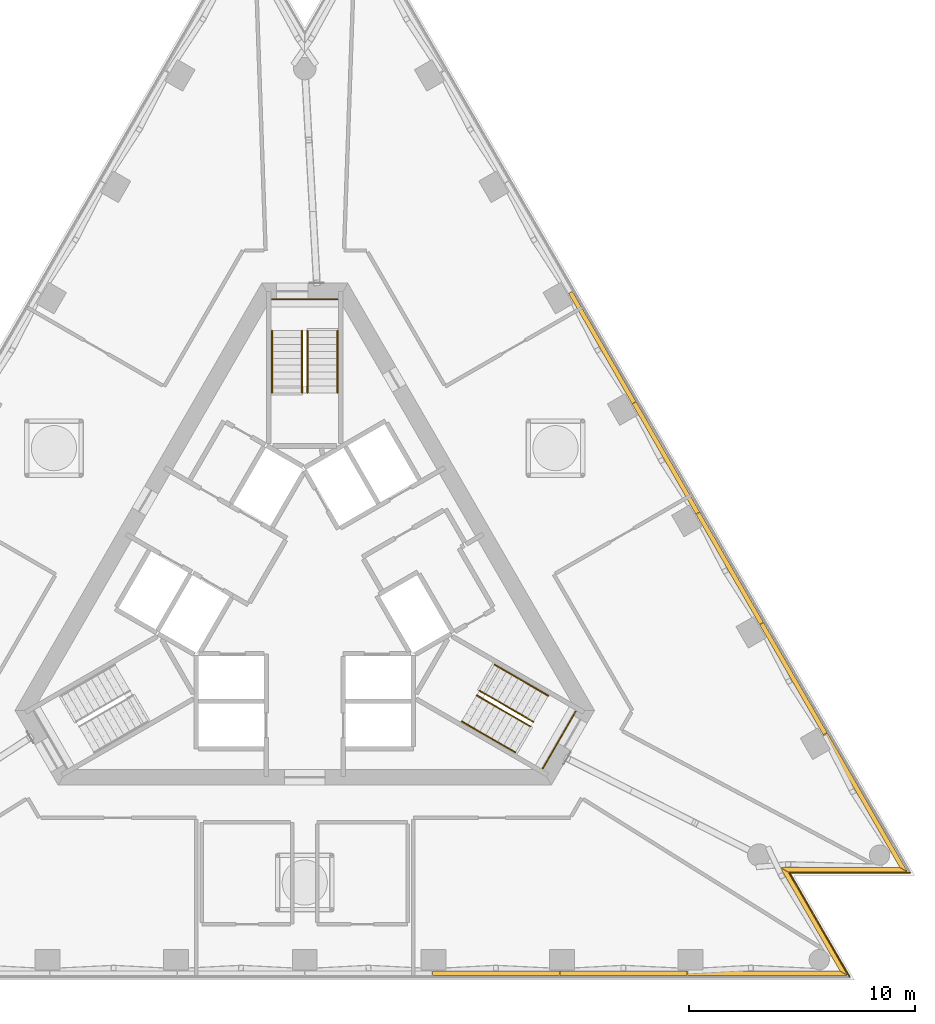
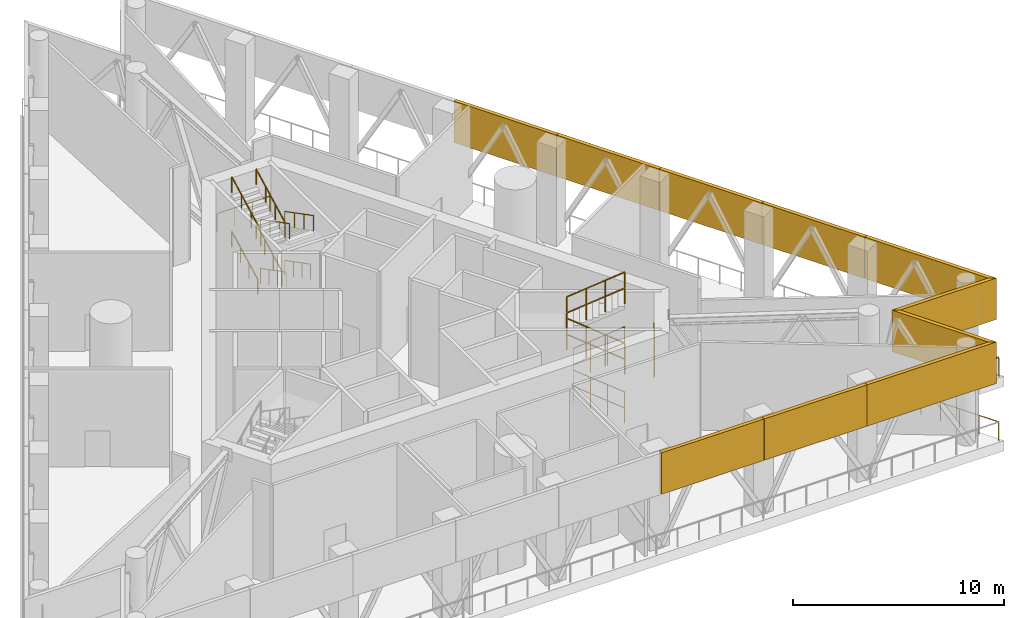
# One storey, part 13 of 15: 20 railings, 10 shading devices, 2 elements without a shape of their own.
"""IFC4 building model written with IfcOpenShell, lengths in metres."""

from ifc_helpers import new_model, si_unit, direction, frame, origin, origin_2d, place, context, subcontext, project, spatial, polyline, circle, outline, extrude, material, layer, layer_set, type_object, element, aggregate, save


model = new_model("IFC4")

# Units and contexts
model_context = context("Model", 3, precision=1e-05, world=origin(), true_north=direction((0.0, 1.0)))
body_context = subcontext(model_context, "Body", "Model", "MODEL_VIEW")
ifc_project = project(units=[si_unit("LENGTHUNIT", "METRE"), si_unit("AREAUNIT", "SQUARE_METRE"), si_unit("VOLUMEUNIT", "CUBIC_METRE"), si_unit("PLANEANGLEUNIT", "RADIAN"), si_unit("MASSUNIT", "GRAM", prefix="KILO")], contexts=[model_context])

# Site, building, storey
site_placement = place(None, origin())
site = spatial("IfcSite", under=ifc_project, at=site_placement, CompositionType="ELEMENT")
building_placement = place(site_placement, origin())
building = spatial("IfcBuilding", under=site, at=building_placement, Name="Triada Interchange Tower", CompositionType="ELEMENT")
storey_placement = place(building_placement, frame((0.0, 0.0, 255.800048828125)))
storey = spatial("IfcBuildingStorey", under=building, at=storey_placement, Name="L60", CompositionType="ELEMENT", Elevation=255.800048828125)

# Stair, railing
ifc_material_1 = material(Name="Concrete C35/45", Category="concrete")
stair_type = type_object("IfcStairType", Name="HALF TURN STAIR 1400", PredefinedType="HALF_TURN_STAIR", material=ifc_material_1)
stair_1_placement = place(storey_placement, origin())
stair_1 = element("IfcStair", 1, at=stair_1_placement, inside=storey, type_object=stair_type, Name="Exit stair S60-1", PredefinedType="HALF_TURN_STAIR")
ifc_material_2 = material(Name="Stainless steel 1.4301", Category="steel")
railing_type_1 = type_object("IfcRailingType", Name="STAIR GUARD 1100", PredefinedType="GUARDRAIL", material=ifc_material_2)
railing_1_placement = place(storey_placement, frame((1.449951171875, 13.0, 2.842041015625)))
railing_1 = element("IfcRailing", 2, at=railing_1_placement, type_object=railing_type_1, Name="Guard S60-1 1", PredefinedType="GUARDRAIL", context=body_context, shape_type="SweptSolid", body=[
    extrude(circle(Radius=0.02392578125, at=origin_2d()), frame((0.0, 0.0, 1.076171875), z_axis=(-1.0, 0.0, 0.0), x_axis=(0.0, -1.0, 0.0)), (0.0, 0.0, 1.0), 2.89990234375),
    extrude(circle(Radius=0.02099609375, at=origin_2d()), origin(), (0.0, 0.0, 1.0), 1.052001953125),
    extrude(circle(Radius=0.02099609375, at=origin_2d()), frame((-0.966552734375, 0.0, 0.0)), (0.0, 0.0, 1.0), 1.052001953125),
    extrude(circle(Radius=0.02099609375, at=origin_2d()), frame((-1.933349609375, 0.0, 0.0)), (0.0, 0.0, 1.0), 1.052001953125),
    extrude(circle(Radius=0.02099609375, at=origin_2d()), frame((-2.89990234375, 0.0, 0.0)), (0.0, 0.0, 1.0), 1.052001953125),
])

stair_2_placement = place(storey_placement, origin())
stair_2 = element("IfcStair", 3, at=stair_2_placement, inside=storey, type_object=stair_type, Name="Exit stair S60-3", PredefinedType="HALF_TURN_STAIR")
railing_2_placement = place(storey_placement, frame((10.532958984375, -7.756103515625, 2.842041015625)))
railing_2 = element("IfcRailing", 4, at=railing_2_placement, type_object=railing_type_1, Name="Guard S60-3 1", PredefinedType="GUARDRAIL", context=body_context, shape_type="SweptSolid", body=[
    extrude(circle(Radius=0.02392578125, at=origin_2d()), frame((0.0, 0.0, 1.076171875), z_axis=(0.499877891294, 0.866095891802, 0.0), x_axis=(-0.866095891802, 0.499877891294, 0.0)), (0.0, 0.0, 1.0), 2.900634765625),
    extrude(circle(Radius=0.02099609375, at=origin_2d()), origin(), (0.0, 0.0, 1.0), 1.052001953125),
    extrude(circle(Radius=0.02099609375, at=origin_2d()), frame((0.4833984375, 0.83740234375, 0.0)), (0.0, 0.0, 1.0), 1.052001953125),
    extrude(circle(Radius=0.02099609375, at=origin_2d()), frame((0.966552734375, 1.6748046875, 0.0)), (0.0, 0.0, 1.0), 1.052001953125),
    extrude(circle(Radius=0.02099609375, at=origin_2d()), frame((1.449951171875, 2.51220703125, 0.0)), (0.0, 0.0, 1.0), 1.052001953125),
])

# Railing
railing_type_2 = type_object("IfcRailingType", Name="STAIR HANDRAIL 900", PredefinedType="HANDRAIL", material=ifc_material_2)
railing_3_placement = place(storey_placement, frame((1.449951171875, 11.60009765625, 0.157958984375)))
railing_3 = element("IfcRailing", 5, at=railing_3_placement, type_object=railing_type_2, Name="Handrail S60-1 1W", PredefinedType="HANDRAIL", context=body_context, shape_type="SweptSolid", body=[
    extrude(circle(Radius=0.02392578125, at=origin_2d()), frame((0.0, 0.0, 0.8759765625), z_axis=(0.0, -0.888102587674, 0.459645291249), x_axis=(1.0, 0.0, 0.0)), (0.0, 0.0, 1.0), 2.74755859375),
    extrude(circle(Radius=0.02099609375, at=origin_2d()), origin(), (0.0, 0.0, 1.0), 0.851806640625),
    extrude(circle(Radius=0.02099609375, at=origin_2d()), frame((0.0, -0.8134765625, 0.4208984375)), (0.0, 0.0, 1.0), 0.851806640625),
    extrude(circle(Radius=0.02099609375, at=origin_2d()), frame((0.0, -1.626708984375, 0.842041015625)), (0.0, 0.0, 1.0), 0.851806640625),
    extrude(circle(Radius=0.02099609375, at=origin_2d()), frame((0.0, -2.440185546875, 1.262939453125)), (0.0, 0.0, 1.0), 0.851806640625),
])

railing_4_placement = place(storey_placement, frame((0.1201171875, 11.60009765625, 0.157958984375)))
railing_4 = element("IfcRailing", 6, at=railing_4_placement, type_object=railing_type_2, Name="Handrail S60-1 1C", PredefinedType="HANDRAIL", context=body_context, shape_type="SweptSolid", body=[
    extrude(circle(Radius=0.02392578125, at=origin_2d()), frame((0.0, 0.0, 0.8759765625), z_axis=(0.0, -0.888102587674, 0.459645291249), x_axis=(1.0, 0.0, 0.0)), (0.0, 0.0, 1.0), 2.74755859375),
    extrude(circle(Radius=0.02099609375, at=origin_2d()), origin(), (0.0, 0.0, 1.0), 0.851806640625),
    extrude(circle(Radius=0.02099609375, at=origin_2d()), frame((0.0, -0.8134765625, 0.4208984375)), (0.0, 0.0, 1.0), 0.851806640625),
    extrude(circle(Radius=0.02099609375, at=origin_2d()), frame((0.0, -1.626708984375, 0.842041015625)), (0.0, 0.0, 1.0), 0.851806640625),
    extrude(circle(Radius=0.02099609375, at=origin_2d()), frame((0.0, -2.440185546875, 1.262939453125)), (0.0, 0.0, 1.0), 0.851806640625),
])

railing_5_placement = place(storey_placement, frame((-1.449951171875, 9.159912109375, 1.578857421875)))
railing_5 = element("IfcRailing", 7, at=railing_5_placement, type_object=railing_type_2, Name="Handrail S60-1 2W", PredefinedType="HANDRAIL", context=body_context, shape_type="SweptSolid", body=[
    extrude(circle(Radius=0.02392578125, at=origin_2d()), frame((0.0, 0.0, 0.8759765625), z_axis=(0.0, 0.888066314826, 0.459715368975), x_axis=(-1.0, 0.0, 0.0)), (0.0, 0.0, 1.0), 2.747802734375),
    extrude(circle(Radius=0.02099609375, at=origin_2d()), origin(), (0.0, 0.0, 1.0), 0.851806640625),
    extrude(circle(Radius=0.02099609375, at=origin_2d()), frame((0.0, 0.8134765625, 0.421142578125)), (0.0, 0.0, 1.0), 0.851806640625),
    extrude(circle(Radius=0.02099609375, at=origin_2d()), frame((0.0, 1.626708984375, 0.842041015625)), (0.0, 0.0, 1.0), 0.851806640625),
    extrude(circle(Radius=0.02099609375, at=origin_2d()), frame((0.0, 2.440185546875, 1.26318359375)), (0.0, 0.0, 1.0), 0.851806640625),
])

railing_6_placement = place(storey_placement, frame((-0.1201171875, 9.159912109375, 1.578857421875)))
railing_6 = element("IfcRailing", 8, at=railing_6_placement, type_object=railing_type_2, Name="Handrail S60-1 2C", PredefinedType="HANDRAIL", context=body_context, shape_type="SweptSolid", body=[
    extrude(circle(Radius=0.02392578125, at=origin_2d()), frame((0.0, 0.0, 0.8759765625), z_axis=(0.0, 0.888066314826, 0.459715368975), x_axis=(-1.0, 0.0, 0.0)), (0.0, 0.0, 1.0), 2.747802734375),
    extrude(circle(Radius=0.02099609375, at=origin_2d()), origin(), (0.0, 0.0, 1.0), 0.851806640625),
    extrude(circle(Radius=0.02099609375, at=origin_2d()), frame((0.0, 0.8134765625, 0.421142578125)), (0.0, 0.0, 1.0), 0.851806640625),
    extrude(circle(Radius=0.02099609375, at=origin_2d()), frame((0.0, 1.626708984375, 0.842041015625)), (0.0, 0.0, 1.0), 0.851806640625),
    extrude(circle(Radius=0.02099609375, at=origin_2d()), frame((0.0, 2.440185546875, 1.26318359375)), (0.0, 0.0, 1.0), 0.851806640625),
])

railing_7_placement = place(storey_placement, frame((1.449951171875, 11.60009765625, 2.999755859375)))
railing_7 = element("IfcRailing", 9, at=railing_7_placement, type_object=railing_type_2, Name="Handrail S60-1 3W", PredefinedType="HANDRAIL", context=body_context, shape_type="SweptSolid", body=[
    extrude(circle(Radius=0.02392578125, at=origin_2d()), frame((0.0, 0.0, 0.8759765625), z_axis=(0.0, -0.888051994022, 0.45974303248), x_axis=(1.0, 0.0, 0.0)), (0.0, 0.0, 1.0), 3.091064453125),
    extrude(circle(Radius=0.02099609375, at=origin_2d()), origin(), (0.0, 0.0, 1.0), 0.851806640625),
    extrude(circle(Radius=0.02099609375, at=origin_2d()), frame((0.0, -0.9150390625, 0.4736328125)), (0.0, 0.0, 1.0), 0.851806640625),
    extrude(circle(Radius=0.02099609375, at=origin_2d()), frame((0.0, -1.830078125, 0.947509765625)), (0.0, 0.0, 1.0), 0.851806640625),
    extrude(circle(Radius=0.02099609375, at=origin_2d()), frame((0.0, -2.7451171875, 1.421142578125)), (0.0, 0.0, 1.0), 0.851806640625),
])

railing_8_placement = place(storey_placement, frame((0.1201171875, 11.60009765625, 2.999755859375)))
railing_8 = element("IfcRailing", 10, at=railing_8_placement, type_object=railing_type_2, Name="Handrail S60-1 3C", PredefinedType="HANDRAIL", context=body_context, shape_type="SweptSolid", body=[
    extrude(circle(Radius=0.02392578125, at=origin_2d()), frame((0.0, 0.0, 0.8759765625), z_axis=(0.0, -0.888051994022, 0.45974303248), x_axis=(1.0, 0.0, 0.0)), (0.0, 0.0, 1.0), 3.091064453125),
    extrude(circle(Radius=0.02099609375, at=origin_2d()), origin(), (0.0, 0.0, 1.0), 0.851806640625),
    extrude(circle(Radius=0.02099609375, at=origin_2d()), frame((0.0, -0.9150390625, 0.4736328125)), (0.0, 0.0, 1.0), 0.851806640625),
    extrude(circle(Radius=0.02099609375, at=origin_2d()), frame((0.0, -1.830078125, 0.947509765625)), (0.0, 0.0, 1.0), 0.851806640625),
    extrude(circle(Radius=0.02099609375, at=origin_2d()), frame((0.0, -2.7451171875, 1.421142578125)), (0.0, 0.0, 1.0), 0.851806640625),
])

railing_9_placement = place(storey_placement, frame((-1.449951171875, 8.85498046875, 4.578857421875)))
railing_9 = element("IfcRailing", 11, at=railing_9_placement, type_object=railing_type_2, Name="Handrail S60-1 4W", PredefinedType="HANDRAIL", context=body_context, shape_type="SweptSolid", body=[
    extrude(circle(Radius=0.02392578125, at=origin_2d()), frame((0.0, 0.0, 0.8759765625), z_axis=(0.0, 0.888084238656, 0.459680742527), x_axis=(-1.0, 0.0, 0.0)), (0.0, 0.0, 1.0), 3.091064453125),
    extrude(circle(Radius=0.02099609375, at=origin_2d()), origin(), (0.0, 0.0, 1.0), 0.851806640625),
    extrude(circle(Radius=0.02099609375, at=origin_2d()), frame((0.0, 0.9150390625, 0.4736328125)), (0.0, 0.0, 1.0), 0.851806640625),
    extrude(circle(Radius=0.02099609375, at=origin_2d()), frame((0.0, 1.830078125, 0.947265625)), (0.0, 0.0, 1.0), 0.851806640625),
    extrude(circle(Radius=0.02099609375, at=origin_2d()), frame((0.0, 2.7451171875, 1.4208984375)), (0.0, 0.0, 1.0), 0.851806640625),
])

railing_10_placement = place(storey_placement, frame((-0.1201171875, 8.85498046875, 4.578857421875)))
railing_10 = element("IfcRailing", 12, at=railing_10_placement, type_object=railing_type_2, Name="Handrail S60-1 4C", PredefinedType="HANDRAIL", context=body_context, shape_type="SweptSolid", body=[
    extrude(circle(Radius=0.02392578125, at=origin_2d()), frame((0.0, 0.0, 0.8759765625), z_axis=(0.0, 0.888084238656, 0.459680742527), x_axis=(-1.0, 0.0, 0.0)), (0.0, 0.0, 1.0), 3.091064453125),
    extrude(circle(Radius=0.02099609375, at=origin_2d()), origin(), (0.0, 0.0, 1.0), 0.851806640625),
    extrude(circle(Radius=0.02099609375, at=origin_2d()), frame((0.0, 0.9150390625, 0.4736328125)), (0.0, 0.0, 1.0), 0.851806640625),
    extrude(circle(Radius=0.02099609375, at=origin_2d()), frame((0.0, 1.830078125, 0.947265625)), (0.0, 0.0, 1.0), 0.851806640625),
    extrude(circle(Radius=0.02099609375, at=origin_2d()), frame((0.0, 2.7451171875, 1.4208984375)), (0.0, 0.0, 1.0), 0.851806640625),
])

aggregate(stair_1, [railing_3, railing_4, railing_5, railing_6, railing_7, railing_8, railing_9, railing_10, railing_1])

railing_11_placement = place(storey_placement, frame((9.321044921875, -7.055908203125, 0.157958984375)))
railing_11 = element("IfcRailing", 13, at=railing_11_placement, type_object=railing_type_2, Name="Handrail S60-3 1W", PredefinedType="HANDRAIL", context=body_context, shape_type="SweptSolid", body=[
    extrude(circle(Radius=0.02392578125, at=origin_2d()), frame((0.0, 0.0, 0.8759765625), z_axis=(-0.769101041409, 0.444043663076, 0.459683383848), x_axis=(-0.500002508028, -0.866023955769, 0.0)), (0.0, 0.0, 1.0), 2.747314453125),
    extrude(circle(Radius=0.02099609375, at=origin_2d()), origin(), (0.0, 0.0, 1.0), 0.851806640625),
    extrude(circle(Radius=0.02099609375, at=origin_2d()), frame((-0.704345703125, 0.40673828125, 0.4208984375)), (0.0, 0.0, 1.0), 0.851806640625),
    extrude(circle(Radius=0.02099609375, at=origin_2d()), frame((-1.40869140625, 0.813232421875, 0.842041015625)), (0.0, 0.0, 1.0), 0.851806640625),
    extrude(circle(Radius=0.02099609375, at=origin_2d()), frame((-2.113037109375, 1.219970703125, 1.262939453125)), (0.0, 0.0, 1.0), 0.851806640625),
])

railing_12_placement = place(storey_placement, frame((9.986083984375, -5.904052734375, 0.157958984375)))
railing_12 = element("IfcRailing", 14, at=railing_12_placement, type_object=railing_type_2, Name="Handrail S60-3 1C", PredefinedType="HANDRAIL", context=body_context, shape_type="SweptSolid", body=[
    extrude(circle(Radius=0.02392578125, at=origin_2d()), frame((0.0, 0.0, 0.8759765625), z_axis=(-0.769101041409, 0.444043663076, 0.459683383848), x_axis=(-0.500002508028, -0.866023955769, 0.0)), (0.0, 0.0, 1.0), 2.747314453125),
    extrude(circle(Radius=0.02099609375, at=origin_2d()), origin(), (0.0, 0.0, 1.0), 0.851806640625),
    extrude(circle(Radius=0.02099609375, at=origin_2d()), frame((-0.704345703125, 0.40673828125, 0.4208984375)), (0.0, 0.0, 1.0), 0.851806640625),
    extrude(circle(Radius=0.02099609375, at=origin_2d()), frame((-1.40869140625, 0.813232421875, 0.842041015625)), (0.0, 0.0, 1.0), 0.851806640625),
    extrude(circle(Radius=0.02099609375, at=origin_2d()), frame((-2.113037109375, 1.219970703125, 1.262939453125)), (0.0, 0.0, 1.0), 0.851806640625),
])

railing_13_placement = place(storey_placement, frame((8.657958984375, -3.323974609375, 1.578857421875)))
railing_13 = element("IfcRailing", 15, at=railing_13_placement, type_object=railing_type_2, Name="Handrail S60-3 2W", PredefinedType="HANDRAIL", context=body_context, shape_type="SweptSolid", body=[
    extrude(circle(Radius=0.02392578125, at=origin_2d()), frame((0.0, 0.0, 0.8759765625), z_axis=(0.769069623744, -0.444025523957, 0.45975346427), x_axis=(0.500002508028, 0.866023955769, 0.0)), (0.0, 0.0, 1.0), 2.74755859375),
    extrude(circle(Radius=0.02099609375, at=origin_2d()), origin(), (0.0, 0.0, 1.0), 0.851806640625),
    extrude(circle(Radius=0.02099609375, at=origin_2d()), frame((0.704345703125, -0.40673828125, 0.421142578125)), (0.0, 0.0, 1.0), 0.851806640625),
    extrude(circle(Radius=0.02099609375, at=origin_2d()), frame((1.40869140625, -0.813232421875, 0.842041015625)), (0.0, 0.0, 1.0), 0.851806640625),
    extrude(circle(Radius=0.02099609375, at=origin_2d()), frame((2.113037109375, -1.219970703125, 1.26318359375)), (0.0, 0.0, 1.0), 0.851806640625),
])

railing_14_placement = place(storey_placement, frame((7.992919921875, -4.47607421875, 1.578857421875)))
railing_14 = element("IfcRailing", 16, at=railing_14_placement, type_object=railing_type_2, Name="Handrail S60-3 2C", PredefinedType="HANDRAIL", context=body_context, shape_type="SweptSolid", body=[
    extrude(circle(Radius=0.02392578125, at=origin_2d()), frame((0.0, 0.0, 0.8759765625), z_axis=(0.769069623744, -0.444025523957, 0.45975346427), x_axis=(0.500002508028, 0.866023955769, 0.0)), (0.0, 0.0, 1.0), 2.74755859375),
    extrude(circle(Radius=0.02099609375, at=origin_2d()), origin(), (0.0, 0.0, 1.0), 0.851806640625),
    extrude(circle(Radius=0.02099609375, at=origin_2d()), frame((0.704345703125, -0.40673828125, 0.421142578125)), (0.0, 0.0, 1.0), 0.851806640625),
    extrude(circle(Radius=0.02099609375, at=origin_2d()), frame((1.40869140625, -0.813232421875, 0.842041015625)), (0.0, 0.0, 1.0), 0.851806640625),
    extrude(circle(Radius=0.02099609375, at=origin_2d()), frame((2.113037109375, -1.219970703125, 1.26318359375)), (0.0, 0.0, 1.0), 0.851806640625),
])

railing_15_placement = place(storey_placement, frame((9.321044921875, -7.055908203125, 2.999755859375)))
railing_15 = element("IfcRailing", 17, at=railing_15_placement, type_object=railing_type_2, Name="Handrail S60-3 3W", PredefinedType="HANDRAIL", context=body_context, shape_type="SweptSolid", body=[
    extrude(circle(Radius=0.02392578125, at=origin_2d()), frame((0.0, 0.0, 0.8759765625), z_axis=(-0.768997314024, 0.444132281918, 0.459771298781), x_axis=(-0.500127924686, -0.865951533834, 0.0)), (0.0, 0.0, 1.0), 3.091064453125),
    extrude(circle(Radius=0.02099609375, at=origin_2d()), origin(), (0.0, 0.0, 1.0), 0.851806640625),
    extrude(circle(Radius=0.02099609375, at=origin_2d()), frame((-0.792236328125, 0.45751953125, 0.4736328125)), (0.0, 0.0, 1.0), 0.851806640625),
    extrude(circle(Radius=0.02099609375, at=origin_2d()), frame((-1.584716796875, 0.915283203125, 0.947509765625)), (0.0, 0.0, 1.0), 0.851806640625),
    extrude(circle(Radius=0.02099609375, at=origin_2d()), frame((-2.376953125, 1.372802734375, 1.421142578125)), (0.0, 0.0, 1.0), 0.851806640625),
])

railing_16_placement = place(storey_placement, frame((9.986083984375, -5.904052734375, 2.999755859375)))
railing_16 = element("IfcRailing", 18, at=railing_16_placement, type_object=railing_type_2, Name="Handrail S60-3 3C", PredefinedType="HANDRAIL", context=body_context, shape_type="SweptSolid", body=[
    extrude(circle(Radius=0.02392578125, at=origin_2d()), frame((0.0, 0.0, 0.8759765625), z_axis=(-0.769110501201, 0.443915067963, 0.45979174566), x_axis=(-0.499889283929, -0.866089316302, 0.0)), (0.0, 0.0, 1.0), 3.0908203125),
    extrude(circle(Radius=0.02099609375, at=origin_2d()), origin(), (0.0, 0.0, 1.0), 0.851806640625),
    extrude(circle(Radius=0.02099609375, at=origin_2d()), frame((-0.79248046875, 0.457275390625, 0.4736328125)), (0.0, 0.0, 1.0), 0.851806640625),
    extrude(circle(Radius=0.02099609375, at=origin_2d()), frame((-1.584716796875, 0.914794921875, 0.947509765625)), (0.0, 0.0, 1.0), 0.851806640625),
    extrude(circle(Radius=0.02099609375, at=origin_2d()), frame((-2.377197265625, 1.3720703125, 1.421142578125)), (0.0, 0.0, 1.0), 0.851806640625),
])

railing_17_placement = place(storey_placement, frame((8.39404296875, -3.172119140625, 4.578857421875)))
railing_17 = element("IfcRailing", 19, at=railing_17_placement, type_object=railing_type_2, Name="Handrail S60-3 4W", PredefinedType="HANDRAIL", context=body_context, shape_type="SweptSolid", body=[
    extrude(circle(Radius=0.02392578125, at=origin_2d()), frame((0.0, 0.0, 0.8759765625), z_axis=(0.769025239288, -0.444148410077, 0.459709007052), x_axis=(0.500127924686, 0.865951533834, 0.0)), (0.0, 0.0, 1.0), 3.0908203125),
    extrude(circle(Radius=0.02099609375, at=origin_2d()), origin(), (0.0, 0.0, 1.0), 0.851806640625),
    extrude(circle(Radius=0.02099609375, at=origin_2d()), frame((0.792236328125, -0.45751953125, 0.4736328125)), (0.0, 0.0, 1.0), 0.851806640625),
    extrude(circle(Radius=0.02099609375, at=origin_2d()), frame((1.584716796875, -0.915283203125, 0.947265625)), (0.0, 0.0, 1.0), 0.851806640625),
    extrude(circle(Radius=0.02099609375, at=origin_2d()), frame((2.376953125, -1.372802734375, 1.4208984375)), (0.0, 0.0, 1.0), 0.851806640625),
])

railing_18_placement = place(storey_placement, frame((7.72900390625, -4.323974609375, 4.578857421875)))
railing_18 = element("IfcRailing", 20, at=railing_18_placement, type_object=railing_type_2, Name="Handrail S60-3 4C", PredefinedType="HANDRAIL", context=body_context, shape_type="SweptSolid", body=[
    extrude(circle(Radius=0.02392578125, at=origin_2d()), frame((0.0, 0.0, 0.8759765625), z_axis=(0.769106168007, -0.443958161894, 0.459757384737), x_axis=(0.499927796446, 0.866067086513, 0.0)), (0.0, 0.0, 1.0), 3.090576171875),
    extrude(circle(Radius=0.02099609375, at=origin_2d()), origin(), (0.0, 0.0, 1.0), 0.851806640625),
    extrude(circle(Radius=0.02099609375, at=origin_2d()), frame((0.792236328125, -0.457275390625, 0.4736328125)), (0.0, 0.0, 1.0), 0.851806640625),
    extrude(circle(Radius=0.02099609375, at=origin_2d()), frame((1.584716796875, -0.914794921875, 0.947265625)), (0.0, 0.0, 1.0), 0.851806640625),
    extrude(circle(Radius=0.02099609375, at=origin_2d()), frame((2.376953125, -1.3720703125, 1.4208984375)), (0.0, 0.0, 1.0), 0.851806640625),
])

aggregate(stair_2, [railing_11, railing_12, railing_13, railing_14, railing_15, railing_16, railing_17, railing_18, railing_2])

# Railings
railing_type_3 = type_object("IfcRailingType", Name="Slot edge guard 1100", PredefinedType="GUARDRAIL", material=ifc_material_2)
railing_19_placement = place(storey_placement, frame((24.094970703125, -16.97607421875, 0.0)))
element("IfcRailing", 21, at=railing_19_placement, inside=storey, type_object=railing_type_3, Name="Slot edge guard SE-1", PredefinedType="GUARDRAIL", context=body_context, shape_type="SweptSolid", body=[
    extrude(circle(Radius=0.02392578125, at=origin_2d()), frame((0.0, 0.0, 1.076171875), z_axis=(-0.499982560684, 0.866035472144, 0.0), x_axis=(-0.866035472144, -0.499982560684, 0.0)), (0.0, 0.0, 1.0), 5.308349609375),
    extrude(circle(Radius=0.02099609375, at=origin_2d()), origin(), (0.0, 0.0, 1.0), 1.052001953125),
    extrude(circle(Radius=0.02099609375, at=origin_2d()), frame((-0.53076171875, 0.91943359375, 0.0)), (0.0, 0.0, 1.0), 1.052001953125),
    extrude(circle(Radius=0.02099609375, at=origin_2d()), frame((-1.0615234375, 1.8388671875, 0.0)), (0.0, 0.0, 1.0), 1.052001953125),
    extrude(circle(Radius=0.02099609375, at=origin_2d()), frame((-1.592529296875, 2.75830078125, 0.0)), (0.0, 0.0, 1.0), 1.052001953125),
    extrude(circle(Radius=0.02099609375, at=origin_2d()), frame((-2.123291015625, 3.677734375, 0.0)), (0.0, 0.0, 1.0), 1.052001953125),
    extrude(circle(Radius=0.02099609375, at=origin_2d()), frame((-2.654052734375, 4.59716796875, 0.0)), (0.0, 0.0, 1.0), 1.052001953125),
])
railing_20_placement = place(storey_placement, frame((21.470947265625, -12.37890625, 0.0)))
element("IfcRailing", 22, at=railing_20_placement, inside=storey, type_object=railing_type_3, Name="Slot edge guard SE-2", PredefinedType="GUARDRAIL", context=body_context, shape_type="SweptSolid", body=[
    extrude(circle(Radius=0.02392578125, at=origin_2d()), frame((0.0, 0.0, 1.076171875), z_axis=(1.0, 0.0, 0.0), x_axis=(0.0, 1.0, 0.0)), (0.0, 0.0, 1.0), 5.30810546875),
    extrude(circle(Radius=0.02099609375, at=origin_2d()), origin(), (0.0, 0.0, 1.0), 1.052001953125),
    extrude(circle(Radius=0.02099609375, at=origin_2d()), frame((1.0615234375, 0.0, 0.0)), (0.0, 0.0, 1.0), 1.052001953125),
    extrude(circle(Radius=0.02099609375, at=origin_2d()), frame((2.123291015625, 0.0, 0.0)), (0.0, 0.0, 1.0), 1.052001953125),
    extrude(circle(Radius=0.02099609375, at=origin_2d()), frame((3.184814453125, 0.0, 0.0)), (0.0, 0.0, 1.0), 1.052001953125),
    extrude(circle(Radius=0.02099609375, at=origin_2d()), frame((4.24658203125, 0.0, 0.0)), (0.0, 0.0, 1.0), 1.052001953125),
    extrude(circle(Radius=0.02099609375, at=origin_2d()), frame((5.30810546875, 0.0, 0.0)), (0.0, 0.0, 1.0), 1.052001953125),
])

# Shading devices
ifc_material_3 = material(Name="Aluminium louvre", Category="aluminium")
ifc_layer = layer(ifc_material_3, 0.199951171875)
ifc_layer_set = layer_set([ifc_layer], Name="Slot louvre fascia")
shading_device_type = type_object("IfcShadingDeviceType", Name="Slot louvre fascia", PredefinedType="JALOUSIE", material=ifc_layer_set)
shading_device_1_placement = place(storey_placement, frame((0.0, 0.0, 3.300048828125)))
element("IfcShadingDevice", 23, at=shading_device_1_placement, inside=storey, type_object=shading_device_type, Name="Slot louvre fascia 16", PredefinedType="JALOUSIE", context=body_context, shape_type="SweptSolid", body=[
    extrude(outline(polyline([(5.64794921875, -16.926025390625), (5.64794921875, -16.72607421875), (11.26611328125, -16.72607421875), (11.26611328125, -16.926025390625), (5.64794921875, -16.926025390625)])), origin(), (0.0, 0.0, 1.0), 2.39990234375),
])
shading_device_2_placement = place(storey_placement, frame((0.0, 0.0, 3.300048828125)))
element("IfcShadingDevice", 24, at=shading_device_2_placement, inside=storey, type_object=shading_device_type, Name="Slot louvre fascia 17", PredefinedType="JALOUSIE", context=body_context, shape_type="SweptSolid", body=[
    extrude(outline(polyline([(11.285888671875, -16.926025390625), (11.285888671875, -16.72607421875), (16.904052734375, -16.72607421875), (16.904052734375, -16.926025390625), (11.285888671875, -16.926025390625)])), origin(), (0.0, 0.0, 1.0), 2.39990234375),
])
shading_device_3_placement = place(storey_placement, frame((0.0, 0.0, 3.300048828125)))
element("IfcShadingDevice", 25, at=shading_device_3_placement, inside=storey, type_object=shading_device_type, Name="Slot louvre fascia 18", PredefinedType="JALOUSIE", context=body_context, shape_type="SweptSolid", body=[
    extrude(outline(polyline([(16.924072265625, -16.926025390625), (16.924072265625, -16.72607421875), (23.66796875, -16.72607421875), (24.013916015625, -16.926025390625), (16.924072265625, -16.926025390625)])), origin(), (0.0, 0.0, 1.0), 2.39990234375),
])
shading_device_4_placement = place(storey_placement, frame((0.0, 0.0, 3.300048828125)))
element("IfcShadingDevice", 26, at=shading_device_4_placement, inside=storey, type_object=shading_device_type, Name="Slot louvre fascia 19", PredefinedType="JALOUSIE", context=body_context, shape_type="SweptSolid", body=[
    extrude(outline(polyline([(24.01904296875, -16.9169921875), (23.673095703125, -16.717041015625), (21.035888671875, -12.15087890625), (21.382080078125, -12.35107421875), (24.01904296875, -16.9169921875)])), origin(), (0.0, 0.0, 1.0), 2.39990234375),
])
shading_device_5_placement = place(storey_placement, frame((0.0, 0.0, 3.300048828125)))
element("IfcShadingDevice", 27, at=shading_device_5_placement, inside=storey, type_object=shading_device_type, Name="Slot louvre fascia 20", PredefinedType="JALOUSIE", context=body_context, shape_type="SweptSolid", body=[
    extrude(outline(polyline([(21.386962890625, -12.342041015625), (21.041015625, -12.14208984375), (26.31396484375, -12.14208984375), (26.659912109375, -12.342041015625), (21.386962890625, -12.342041015625)])), origin(), (0.0, 0.0, 1.0), 2.39990234375),
])
shading_device_6_placement = place(storey_placement, frame((0.0, 0.0, 3.300048828125)))
element("IfcShadingDevice", 28, at=shading_device_6_placement, inside=storey, type_object=shading_device_type, Name="Slot louvre fascia 21", PredefinedType="JALOUSIE", context=body_context, shape_type="SweptSolid", body=[
    extrude(outline(polyline([(26.6650390625, -12.3330078125), (26.319091796875, -12.133056640625), (22.947021484375, -6.29296875), (23.1201171875, -6.193115234375), (26.6650390625, -12.3330078125)])), origin(), (0.0, 0.0, 1.0), 2.39990234375),
])
shading_device_7_placement = place(storey_placement, frame((0.0, 0.0, 3.300048828125)))
element("IfcShadingDevice", 29, at=shading_device_7_placement, inside=storey, type_object=shading_device_type, Name="Slot louvre fascia 22", PredefinedType="JALOUSIE", context=body_context, shape_type="SweptSolid", body=[
    extrude(outline(polyline([(23.110107421875, -6.176025390625), (22.93701171875, -6.27587890625), (20.1279296875, -1.410888671875), (20.301025390625, -1.31103515625), (23.110107421875, -6.176025390625)])), origin(), (0.0, 0.0, 1.0), 2.39990234375),
])
shading_device_8_placement = place(storey_placement, frame((0.0, 0.0, 3.300048828125)))
element("IfcShadingDevice", 30, at=shading_device_8_placement, inside=storey, type_object=shading_device_type, Name="Slot louvre fascia 23", PredefinedType="JALOUSIE", context=body_context, shape_type="SweptSolid", body=[
    extrude(outline(polyline([(20.291015625, -1.29296875), (20.117919921875, -1.39306640625), (17.30908203125, 3.471923828125), (17.48193359375, 3.572021484375), (20.291015625, -1.29296875)])), origin(), (0.0, 0.0, 1.0), 2.39990234375),
])
shading_device_9_placement = place(storey_placement, frame((0.0, 0.0, 3.300048828125)))
element("IfcShadingDevice", 31, at=shading_device_9_placement, inside=storey, type_object=shading_device_type, Name="Slot louvre fascia 24", PredefinedType="JALOUSIE", context=body_context, shape_type="SweptSolid", body=[
    extrude(outline(polyline([(17.471923828125, 3.589111328125), (17.299072265625, 3.489013671875), (14.489990234375, 8.35400390625), (14.6630859375, 8.4541015625), (17.471923828125, 3.589111328125)])), origin(), (0.0, 0.0, 1.0), 2.39990234375),
])
shading_device_10_placement = place(storey_placement, frame((0.0, 0.0, 3.300048828125)))
element("IfcShadingDevice", 32, at=shading_device_10_placement, inside=storey, type_object=shading_device_type, Name="Slot louvre fascia 25", PredefinedType="JALOUSIE", context=body_context, shape_type="SweptSolid", body=[
    extrude(outline(polyline([(14.653076171875, 8.471923828125), (14.47998046875, 8.3720703125), (11.6708984375, 13.237060546875), (11.843994140625, 13.3369140625), (14.653076171875, 8.471923828125)])), origin(), (0.0, 0.0, 1.0), 2.39990234375),
])

save(model, "model.ifc")
